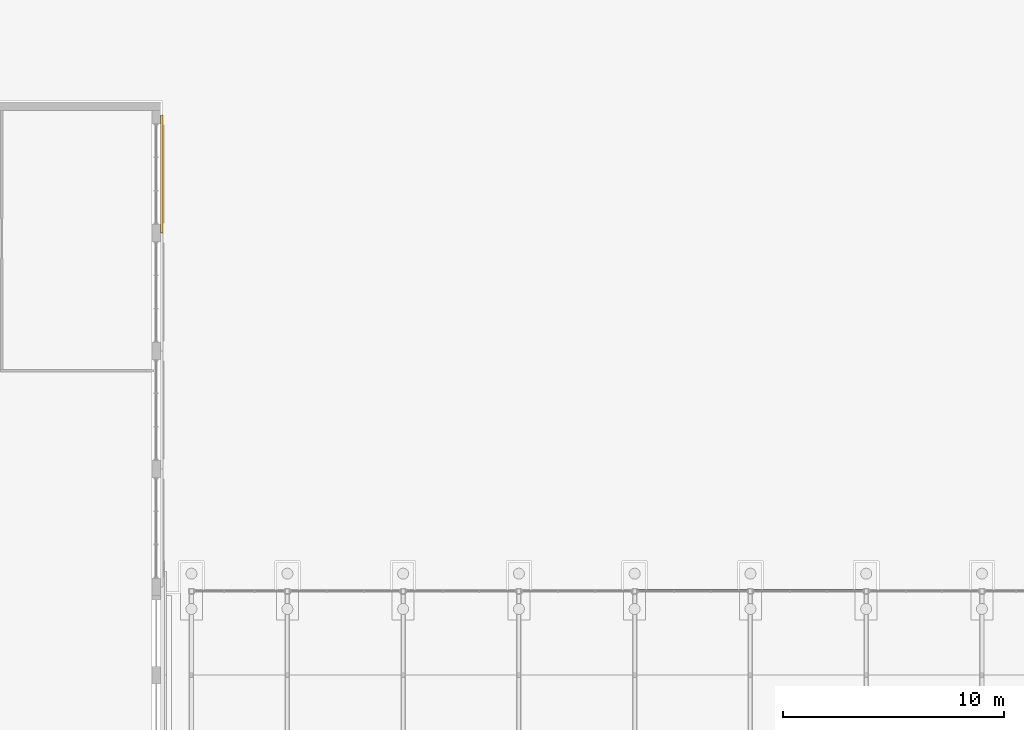
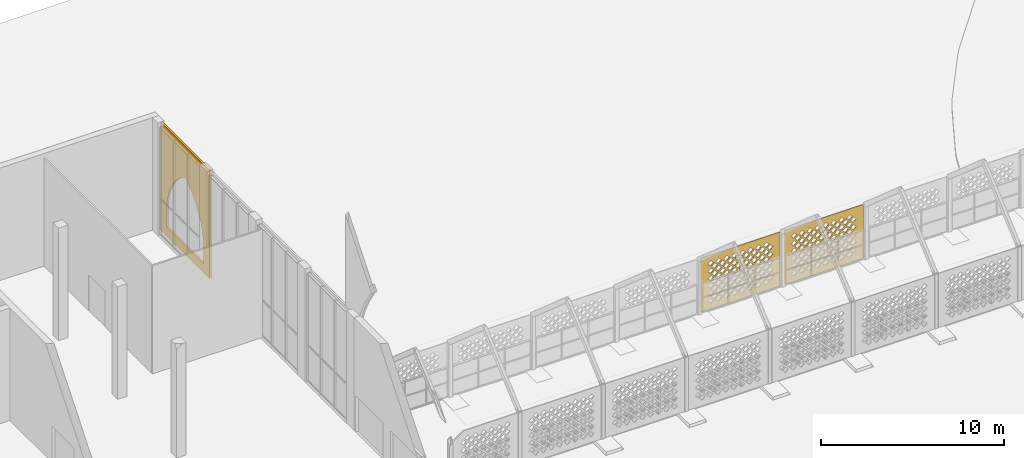
# One storey, part 70 of 79: 3 coverings.
"""IFC4 building model written with IfcOpenShell, lengths in metres."""

from ifc_helpers import new_model, si_unit, direction, frame, origin, place, context, subcontext, project, spatial, polyline, outline, extrude, material, layer, layer_set, type_object, element, save


model = new_model("IFC4")

# Units and contexts
model_context = context("Model", 3, precision=1e-05, world=origin(), true_north=direction((0.0, 1.0)))
body_context = subcontext(model_context, "Body", "Model", "MODEL_VIEW")
ifc_project = project(units=[si_unit("LENGTHUNIT", "METRE"), si_unit("AREAUNIT", "SQUARE_METRE"), si_unit("VOLUMEUNIT", "CUBIC_METRE"), si_unit("PLANEANGLEUNIT", "RADIAN"), si_unit("MASSUNIT", "GRAM", prefix="KILO")], contexts=[model_context])

# Site, building, storey
site_placement = place(None, origin())
site = spatial("IfcSite", under=ifc_project, at=site_placement, CompositionType="ELEMENT")
building_placement = place(site_placement, origin())
building = spatial("IfcBuilding", under=site, at=building_placement, Name="Noorbagh Ring Tower", CompositionType="ELEMENT")
storey_placement = place(building_placement, origin())
storey = spatial("IfcBuildingStorey", under=building, at=storey_placement, Name="L00", CompositionType="ELEMENT", Elevation=0.0)

# Coverings
ifc_material_1 = material(Name="Red sandstone jali", Category="masonry")
ifc_layer_1 = layer(ifc_material_1, 0.0400390625)
ifc_layer_set_1 = layer_set([ifc_layer_1], Name="Red sandstone jali")
covering_type_1 = type_object("IfcCoveringType", Name="AR-JALI", PredefinedType="USERDEFINED", material=ifc_layer_set_1)
covering_1_placement = place(storey_placement, frame((-68.375, 8.889892578125, 0.0), z_axis=(0.0, 1.0, 0.0), x_axis=(-1.0, 0.0, 0.0)))
element("IfcCovering", 1, at=covering_1_placement, inside=storey, type_object=covering_type_1, Name="Jali screen", ObjectType="SCREEN", PredefinedType="USERDEFINED", context=body_context, shape_type="SweptSolid", body=[
    extrude(outline(polyline([(0.0, 0.0), (5.0, 0.0), (5.0, 3.60009765625), (0.0, 3.60009765625), (0.0, 0.0)]), holes=[polyline([(0.695068359375, 0.550048828125), (0.875, 0.3701171875), (1.054931640625, 0.550048828125), (0.875, 0.72998046875), (0.695068359375, 0.550048828125)]), polyline([(1.195068359375, 0.550048828125), (1.375, 0.3701171875), (1.554931640625, 0.550048828125), (1.375, 0.72998046875), (1.195068359375, 0.550048828125)]), polyline([(1.695068359375, 0.550048828125), (1.875, 0.3701171875), (2.054931640625, 0.550048828125), (1.875, 0.72998046875), (1.695068359375, 0.550048828125)]), polyline([(2.195068359375, 0.550048828125), (2.375, 0.3701171875), (2.554931640625, 0.550048828125), (2.375, 0.72998046875), (2.195068359375, 0.550048828125)]), polyline([(2.695068359375, 0.550048828125), (2.875, 0.3701171875), (3.054931640625, 0.550048828125), (2.875, 0.72998046875), (2.695068359375, 0.550048828125)]), polyline([(3.195068359375, 0.550048828125), (3.375, 0.3701171875), (3.554931640625, 0.550048828125), (3.375, 0.72998046875), (3.195068359375, 0.550048828125)]), polyline([(3.695068359375, 0.550048828125), (3.875, 0.3701171875), (4.054931640625, 0.550048828125), (3.875, 0.72998046875), (3.695068359375, 0.550048828125)]), polyline([(4.195068359375, 0.550048828125), (4.375, 0.3701171875), (4.554931640625, 0.550048828125), (4.375, 0.72998046875), (4.195068359375, 0.550048828125)]), polyline([(0.445068359375, 0.800048828125), (0.625, 0.6201171875), (0.804931640625, 0.800048828125), (0.625, 0.97998046875), (0.445068359375, 0.800048828125)]), polyline([(0.945068359375, 0.800048828125), (1.125, 0.6201171875), (1.304931640625, 0.800048828125), (1.125, 0.97998046875), (0.945068359375, 0.800048828125)]), polyline([(1.445068359375, 0.800048828125), (1.625, 0.6201171875), (1.804931640625, 0.800048828125), (1.625, 0.97998046875), (1.445068359375, 0.800048828125)]), polyline([(1.945068359375, 0.800048828125), (2.125, 0.6201171875), (2.304931640625, 0.800048828125), (2.125, 0.97998046875), (1.945068359375, 0.800048828125)]), polyline([(2.445068359375, 0.800048828125), (2.625, 0.6201171875), (2.804931640625, 0.800048828125), (2.625, 0.97998046875), (2.445068359375, 0.800048828125)]), polyline([(2.945068359375, 0.800048828125), (3.125, 0.6201171875), (3.304931640625, 0.800048828125), (3.125, 0.97998046875), (2.945068359375, 0.800048828125)]), polyline([(3.445068359375, 0.800048828125), (3.625, 0.6201171875), (3.804931640625, 0.800048828125), (3.625, 0.97998046875), (3.445068359375, 0.800048828125)]), polyline([(3.945068359375, 0.800048828125), (4.125, 0.6201171875), (4.304931640625, 0.800048828125), (4.125, 0.97998046875), (3.945068359375, 0.800048828125)]), polyline([(0.695068359375, 1.050048828125), (0.875, 0.8701171875), (1.054931640625, 1.050048828125), (0.875, 1.22998046875), (0.695068359375, 1.050048828125)]), polyline([(1.195068359375, 1.050048828125), (1.375, 0.8701171875), (1.554931640625, 1.050048828125), (1.375, 1.22998046875), (1.195068359375, 1.050048828125)]), polyline([(1.695068359375, 1.050048828125), (1.875, 0.8701171875), (2.054931640625, 1.050048828125), (1.875, 1.22998046875), (1.695068359375, 1.050048828125)]), polyline([(2.195068359375, 1.050048828125), (2.375, 0.8701171875), (2.554931640625, 1.050048828125), (2.375, 1.22998046875), (2.195068359375, 1.050048828125)]), polyline([(2.695068359375, 1.050048828125), (2.875, 0.8701171875), (3.054931640625, 1.050048828125), (2.875, 1.22998046875), (2.695068359375, 1.050048828125)]), polyline([(3.195068359375, 1.050048828125), (3.375, 0.8701171875), (3.554931640625, 1.050048828125), (3.375, 1.22998046875), (3.195068359375, 1.050048828125)]), polyline([(3.695068359375, 1.050048828125), (3.875, 0.8701171875), (4.054931640625, 1.050048828125), (3.875, 1.22998046875), (3.695068359375, 1.050048828125)]), polyline([(4.195068359375, 1.050048828125), (4.375, 0.8701171875), (4.554931640625, 1.050048828125), (4.375, 1.22998046875), (4.195068359375, 1.050048828125)]), polyline([(0.445068359375, 1.300048828125), (0.625, 1.1201171875), (0.804931640625, 1.300048828125), (0.625, 1.47998046875), (0.445068359375, 1.300048828125)]), polyline([(0.945068359375, 1.300048828125), (1.125, 1.1201171875), (1.304931640625, 1.300048828125), (1.125, 1.47998046875), (0.945068359375, 1.300048828125)]), polyline([(1.445068359375, 1.300048828125), (1.625, 1.1201171875), (1.804931640625, 1.300048828125), (1.625, 1.47998046875), (1.445068359375, 1.300048828125)]), polyline([(1.945068359375, 1.300048828125), (2.125, 1.1201171875), (2.304931640625, 1.300048828125), (2.125, 1.47998046875), (1.945068359375, 1.300048828125)]), polyline([(2.445068359375, 1.300048828125), (2.625, 1.1201171875), (2.804931640625, 1.300048828125), (2.625, 1.47998046875), (2.445068359375, 1.300048828125)]), polyline([(2.945068359375, 1.300048828125), (3.125, 1.1201171875), (3.304931640625, 1.300048828125), (3.125, 1.47998046875), (2.945068359375, 1.300048828125)]), polyline([(3.445068359375, 1.300048828125), (3.625, 1.1201171875), (3.804931640625, 1.300048828125), (3.625, 1.47998046875), (3.445068359375, 1.300048828125)]), polyline([(3.945068359375, 1.300048828125), (4.125, 1.1201171875), (4.304931640625, 1.300048828125), (4.125, 1.47998046875), (3.945068359375, 1.300048828125)]), polyline([(0.695068359375, 1.550048828125), (0.875, 1.3701171875), (1.054931640625, 1.550048828125), (0.875, 1.72998046875), (0.695068359375, 1.550048828125)]), polyline([(1.195068359375, 1.550048828125), (1.375, 1.3701171875), (1.554931640625, 1.550048828125), (1.375, 1.72998046875), (1.195068359375, 1.550048828125)]), polyline([(1.695068359375, 1.550048828125), (1.875, 1.3701171875), (2.054931640625, 1.550048828125), (1.875, 1.72998046875), (1.695068359375, 1.550048828125)]), polyline([(2.195068359375, 1.550048828125), (2.375, 1.3701171875), (2.554931640625, 1.550048828125), (2.375, 1.72998046875), (2.195068359375, 1.550048828125)]), polyline([(2.695068359375, 1.550048828125), (2.875, 1.3701171875), (3.054931640625, 1.550048828125), (2.875, 1.72998046875), (2.695068359375, 1.550048828125)]), polyline([(3.195068359375, 1.550048828125), (3.375, 1.3701171875), (3.554931640625, 1.550048828125), (3.375, 1.72998046875), (3.195068359375, 1.550048828125)]), polyline([(3.695068359375, 1.550048828125), (3.875, 1.3701171875), (4.054931640625, 1.550048828125), (3.875, 1.72998046875), (3.695068359375, 1.550048828125)]), polyline([(4.195068359375, 1.550048828125), (4.375, 1.3701171875), (4.554931640625, 1.550048828125), (4.375, 1.72998046875), (4.195068359375, 1.550048828125)]), polyline([(0.445068359375, 1.800048828125), (0.625, 1.6201171875), (0.804931640625, 1.800048828125), (0.625, 1.97998046875), (0.445068359375, 1.800048828125)]), polyline([(0.945068359375, 1.800048828125), (1.125, 1.6201171875), (1.304931640625, 1.800048828125), (1.125, 1.97998046875), (0.945068359375, 1.800048828125)]), polyline([(1.445068359375, 1.800048828125), (1.625, 1.6201171875), (1.804931640625, 1.800048828125), (1.625, 1.97998046875), (1.445068359375, 1.800048828125)]), polyline([(1.945068359375, 1.800048828125), (2.125, 1.6201171875), (2.304931640625, 1.800048828125), (2.125, 1.97998046875), (1.945068359375, 1.800048828125)]), polyline([(2.445068359375, 1.800048828125), (2.625, 1.6201171875), (2.804931640625, 1.800048828125), (2.625, 1.97998046875), (2.445068359375, 1.800048828125)]), polyline([(2.945068359375, 1.800048828125), (3.125, 1.6201171875), (3.304931640625, 1.800048828125), (3.125, 1.97998046875), (2.945068359375, 1.800048828125)]), polyline([(3.445068359375, 1.800048828125), (3.625, 1.6201171875), (3.804931640625, 1.800048828125), (3.625, 1.97998046875), (3.445068359375, 1.800048828125)]), polyline([(3.945068359375, 1.800048828125), (4.125, 1.6201171875), (4.304931640625, 1.800048828125), (4.125, 1.97998046875), (3.945068359375, 1.800048828125)]), polyline([(0.695068359375, 2.050048828125), (0.875, 1.8701171875), (1.054931640625, 2.050048828125), (0.875, 2.22998046875), (0.695068359375, 2.050048828125)]), polyline([(1.195068359375, 2.050048828125), (1.375, 1.8701171875), (1.554931640625, 2.050048828125), (1.375, 2.22998046875), (1.195068359375, 2.050048828125)]), polyline([(1.695068359375, 2.050048828125), (1.875, 1.8701171875), (2.054931640625, 2.050048828125), (1.875, 2.22998046875), (1.695068359375, 2.050048828125)]), polyline([(2.195068359375, 2.050048828125), (2.375, 1.8701171875), (2.554931640625, 2.050048828125), (2.375, 2.22998046875), (2.195068359375, 2.050048828125)]), polyline([(2.695068359375, 2.050048828125), (2.875, 1.8701171875), (3.054931640625, 2.050048828125), (2.875, 2.22998046875), (2.695068359375, 2.050048828125)]), polyline([(3.195068359375, 2.050048828125), (3.375, 1.8701171875), (3.554931640625, 2.050048828125), (3.375, 2.22998046875), (3.195068359375, 2.050048828125)]), polyline([(3.695068359375, 2.050048828125), (3.875, 1.8701171875), (4.054931640625, 2.050048828125), (3.875, 2.22998046875), (3.695068359375, 2.050048828125)]), polyline([(4.195068359375, 2.050048828125), (4.375, 1.8701171875), (4.554931640625, 2.050048828125), (4.375, 2.22998046875), (4.195068359375, 2.050048828125)]), polyline([(0.445068359375, 2.300048828125), (0.625, 2.1201171875), (0.804931640625, 2.300048828125), (0.625, 2.47998046875), (0.445068359375, 2.300048828125)]), polyline([(0.945068359375, 2.300048828125), (1.125, 2.1201171875), (1.304931640625, 2.300048828125), (1.125, 2.47998046875), (0.945068359375, 2.300048828125)]), polyline([(1.445068359375, 2.300048828125), (1.625, 2.1201171875), (1.804931640625, 2.300048828125), (1.625, 2.47998046875), (1.445068359375, 2.300048828125)]), polyline([(1.945068359375, 2.300048828125), (2.125, 2.1201171875), (2.304931640625, 2.300048828125), (2.125, 2.47998046875), (1.945068359375, 2.300048828125)]), polyline([(2.445068359375, 2.300048828125), (2.625, 2.1201171875), (2.804931640625, 2.300048828125), (2.625, 2.47998046875), (2.445068359375, 2.300048828125)]), polyline([(2.945068359375, 2.300048828125), (3.125, 2.1201171875), (3.304931640625, 2.300048828125), (3.125, 2.47998046875), (2.945068359375, 2.300048828125)]), polyline([(3.445068359375, 2.300048828125), (3.625, 2.1201171875), (3.804931640625, 2.300048828125), (3.625, 2.47998046875), (3.445068359375, 2.300048828125)]), polyline([(3.945068359375, 2.300048828125), (4.125, 2.1201171875), (4.304931640625, 2.300048828125), (4.125, 2.47998046875), (3.945068359375, 2.300048828125)]), polyline([(0.695068359375, 2.550048828125), (0.875, 2.3701171875), (1.054931640625, 2.550048828125), (0.875, 2.72998046875), (0.695068359375, 2.550048828125)]), polyline([(1.195068359375, 2.550048828125), (1.375, 2.3701171875), (1.554931640625, 2.550048828125), (1.375, 2.72998046875), (1.195068359375, 2.550048828125)]), polyline([(1.695068359375, 2.550048828125), (1.875, 2.3701171875), (2.054931640625, 2.550048828125), (1.875, 2.72998046875), (1.695068359375, 2.550048828125)]), polyline([(2.195068359375, 2.550048828125), (2.375, 2.3701171875), (2.554931640625, 2.550048828125), (2.375, 2.72998046875), (2.195068359375, 2.550048828125)]), polyline([(2.695068359375, 2.550048828125), (2.875, 2.3701171875), (3.054931640625, 2.550048828125), (2.875, 2.72998046875), (2.695068359375, 2.550048828125)]), polyline([(3.195068359375, 2.550048828125), (3.375, 2.3701171875), (3.554931640625, 2.550048828125), (3.375, 2.72998046875), (3.195068359375, 2.550048828125)]), polyline([(3.695068359375, 2.550048828125), (3.875, 2.3701171875), (4.054931640625, 2.550048828125), (3.875, 2.72998046875), (3.695068359375, 2.550048828125)]), polyline([(4.195068359375, 2.550048828125), (4.375, 2.3701171875), (4.554931640625, 2.550048828125), (4.375, 2.72998046875), (4.195068359375, 2.550048828125)]), polyline([(0.445068359375, 2.800048828125), (0.625, 2.6201171875), (0.804931640625, 2.800048828125), (0.625, 2.97998046875), (0.445068359375, 2.800048828125)]), polyline([(0.945068359375, 2.800048828125), (1.125, 2.6201171875), (1.304931640625, 2.800048828125), (1.125, 2.97998046875), (0.945068359375, 2.800048828125)]), polyline([(1.445068359375, 2.800048828125), (1.625, 2.6201171875), (1.804931640625, 2.800048828125), (1.625, 2.97998046875), (1.445068359375, 2.800048828125)]), polyline([(1.945068359375, 2.800048828125), (2.125, 2.6201171875), (2.304931640625, 2.800048828125), (2.125, 2.97998046875), (1.945068359375, 2.800048828125)]), polyline([(2.445068359375, 2.800048828125), (2.625, 2.6201171875), (2.804931640625, 2.800048828125), (2.625, 2.97998046875), (2.445068359375, 2.800048828125)]), polyline([(2.945068359375, 2.800048828125), (3.125, 2.6201171875), (3.304931640625, 2.800048828125), (3.125, 2.97998046875), (2.945068359375, 2.800048828125)]), polyline([(3.445068359375, 2.800048828125), (3.625, 2.6201171875), (3.804931640625, 2.800048828125), (3.625, 2.97998046875), (3.445068359375, 2.800048828125)]), polyline([(3.945068359375, 2.800048828125), (4.125, 2.6201171875), (4.304931640625, 2.800048828125), (4.125, 2.97998046875), (3.945068359375, 2.800048828125)]), polyline([(0.695068359375, 3.050048828125), (0.875, 2.8701171875), (1.054931640625, 3.050048828125), (0.875, 3.22998046875), (0.695068359375, 3.050048828125)]), polyline([(1.195068359375, 3.050048828125), (1.375, 2.8701171875), (1.554931640625, 3.050048828125), (1.375, 3.22998046875), (1.195068359375, 3.050048828125)]), polyline([(1.695068359375, 3.050048828125), (1.875, 2.8701171875), (2.054931640625, 3.050048828125), (1.875, 3.22998046875), (1.695068359375, 3.050048828125)]), polyline([(2.195068359375, 3.050048828125), (2.375, 2.8701171875), (2.554931640625, 3.050048828125), (2.375, 3.22998046875), (2.195068359375, 3.050048828125)]), polyline([(2.695068359375, 3.050048828125), (2.875, 2.8701171875), (3.054931640625, 3.050048828125), (2.875, 3.22998046875), (2.695068359375, 3.050048828125)]), polyline([(3.195068359375, 3.050048828125), (3.375, 2.8701171875), (3.554931640625, 3.050048828125), (3.375, 3.22998046875), (3.195068359375, 3.050048828125)]), polyline([(3.695068359375, 3.050048828125), (3.875, 2.8701171875), (4.054931640625, 3.050048828125), (3.875, 3.22998046875), (3.695068359375, 3.050048828125)]), polyline([(4.195068359375, 3.050048828125), (4.375, 2.8701171875), (4.554931640625, 3.050048828125), (4.375, 3.22998046875), (4.195068359375, 3.050048828125)])]), origin(), (0.0, 0.0, -1.0), 0.0400390625),
])
covering_2_placement = place(storey_placement, frame((-63.125, 8.889892578125, 0.0), z_axis=(0.0, 1.0, 0.0), x_axis=(-1.0, 0.0, 0.0)))
element("IfcCovering", 2, at=covering_2_placement, inside=storey, type_object=covering_type_1, Name="Jali screen", ObjectType="SCREEN", PredefinedType="USERDEFINED", context=body_context, shape_type="SweptSolid", body=[
    extrude(outline(polyline([(0.0, 0.0), (5.0, 0.0), (5.0, 3.60009765625), (0.0, 3.60009765625), (0.0, 0.0)]), holes=[polyline([(0.695068359375, 0.550048828125), (0.875, 0.3701171875), (1.054931640625, 0.550048828125), (0.875, 0.72998046875), (0.695068359375, 0.550048828125)]), polyline([(1.195068359375, 0.550048828125), (1.375, 0.3701171875), (1.554931640625, 0.550048828125), (1.375, 0.72998046875), (1.195068359375, 0.550048828125)]), polyline([(1.695068359375, 0.550048828125), (1.875, 0.3701171875), (2.054931640625, 0.550048828125), (1.875, 0.72998046875), (1.695068359375, 0.550048828125)]), polyline([(2.195068359375, 0.550048828125), (2.375, 0.3701171875), (2.554931640625, 0.550048828125), (2.375, 0.72998046875), (2.195068359375, 0.550048828125)]), polyline([(2.695068359375, 0.550048828125), (2.875, 0.3701171875), (3.054931640625, 0.550048828125), (2.875, 0.72998046875), (2.695068359375, 0.550048828125)]), polyline([(3.195068359375, 0.550048828125), (3.375, 0.3701171875), (3.554931640625, 0.550048828125), (3.375, 0.72998046875), (3.195068359375, 0.550048828125)]), polyline([(3.695068359375, 0.550048828125), (3.875, 0.3701171875), (4.054931640625, 0.550048828125), (3.875, 0.72998046875), (3.695068359375, 0.550048828125)]), polyline([(4.195068359375, 0.550048828125), (4.375, 0.3701171875), (4.554931640625, 0.550048828125), (4.375, 0.72998046875), (4.195068359375, 0.550048828125)]), polyline([(0.445068359375, 0.800048828125), (0.625, 0.6201171875), (0.804931640625, 0.800048828125), (0.625, 0.97998046875), (0.445068359375, 0.800048828125)]), polyline([(0.945068359375, 0.800048828125), (1.125, 0.6201171875), (1.304931640625, 0.800048828125), (1.125, 0.97998046875), (0.945068359375, 0.800048828125)]), polyline([(1.445068359375, 0.800048828125), (1.625, 0.6201171875), (1.804931640625, 0.800048828125), (1.625, 0.97998046875), (1.445068359375, 0.800048828125)]), polyline([(1.945068359375, 0.800048828125), (2.125, 0.6201171875), (2.304931640625, 0.800048828125), (2.125, 0.97998046875), (1.945068359375, 0.800048828125)]), polyline([(2.445068359375, 0.800048828125), (2.625, 0.6201171875), (2.804931640625, 0.800048828125), (2.625, 0.97998046875), (2.445068359375, 0.800048828125)]), polyline([(2.945068359375, 0.800048828125), (3.125, 0.6201171875), (3.304931640625, 0.800048828125), (3.125, 0.97998046875), (2.945068359375, 0.800048828125)]), polyline([(3.445068359375, 0.800048828125), (3.625, 0.6201171875), (3.804931640625, 0.800048828125), (3.625, 0.97998046875), (3.445068359375, 0.800048828125)]), polyline([(3.945068359375, 0.800048828125), (4.125, 0.6201171875), (4.304931640625, 0.800048828125), (4.125, 0.97998046875), (3.945068359375, 0.800048828125)]), polyline([(0.695068359375, 1.050048828125), (0.875, 0.8701171875), (1.054931640625, 1.050048828125), (0.875, 1.22998046875), (0.695068359375, 1.050048828125)]), polyline([(1.195068359375, 1.050048828125), (1.375, 0.8701171875), (1.554931640625, 1.050048828125), (1.375, 1.22998046875), (1.195068359375, 1.050048828125)]), polyline([(1.695068359375, 1.050048828125), (1.875, 0.8701171875), (2.054931640625, 1.050048828125), (1.875, 1.22998046875), (1.695068359375, 1.050048828125)]), polyline([(2.195068359375, 1.050048828125), (2.375, 0.8701171875), (2.554931640625, 1.050048828125), (2.375, 1.22998046875), (2.195068359375, 1.050048828125)]), polyline([(2.695068359375, 1.050048828125), (2.875, 0.8701171875), (3.054931640625, 1.050048828125), (2.875, 1.22998046875), (2.695068359375, 1.050048828125)]), polyline([(3.195068359375, 1.050048828125), (3.375, 0.8701171875), (3.554931640625, 1.050048828125), (3.375, 1.22998046875), (3.195068359375, 1.050048828125)]), polyline([(3.695068359375, 1.050048828125), (3.875, 0.8701171875), (4.054931640625, 1.050048828125), (3.875, 1.22998046875), (3.695068359375, 1.050048828125)]), polyline([(4.195068359375, 1.050048828125), (4.375, 0.8701171875), (4.554931640625, 1.050048828125), (4.375, 1.22998046875), (4.195068359375, 1.050048828125)]), polyline([(0.445068359375, 1.300048828125), (0.625, 1.1201171875), (0.804931640625, 1.300048828125), (0.625, 1.47998046875), (0.445068359375, 1.300048828125)]), polyline([(0.945068359375, 1.300048828125), (1.125, 1.1201171875), (1.304931640625, 1.300048828125), (1.125, 1.47998046875), (0.945068359375, 1.300048828125)]), polyline([(1.445068359375, 1.300048828125), (1.625, 1.1201171875), (1.804931640625, 1.300048828125), (1.625, 1.47998046875), (1.445068359375, 1.300048828125)]), polyline([(1.945068359375, 1.300048828125), (2.125, 1.1201171875), (2.304931640625, 1.300048828125), (2.125, 1.47998046875), (1.945068359375, 1.300048828125)]), polyline([(2.445068359375, 1.300048828125), (2.625, 1.1201171875), (2.804931640625, 1.300048828125), (2.625, 1.47998046875), (2.445068359375, 1.300048828125)]), polyline([(2.945068359375, 1.300048828125), (3.125, 1.1201171875), (3.304931640625, 1.300048828125), (3.125, 1.47998046875), (2.945068359375, 1.300048828125)]), polyline([(3.445068359375, 1.300048828125), (3.625, 1.1201171875), (3.804931640625, 1.300048828125), (3.625, 1.47998046875), (3.445068359375, 1.300048828125)]), polyline([(3.945068359375, 1.300048828125), (4.125, 1.1201171875), (4.304931640625, 1.300048828125), (4.125, 1.47998046875), (3.945068359375, 1.300048828125)]), polyline([(0.695068359375, 1.550048828125), (0.875, 1.3701171875), (1.054931640625, 1.550048828125), (0.875, 1.72998046875), (0.695068359375, 1.550048828125)]), polyline([(1.195068359375, 1.550048828125), (1.375, 1.3701171875), (1.554931640625, 1.550048828125), (1.375, 1.72998046875), (1.195068359375, 1.550048828125)]), polyline([(1.695068359375, 1.550048828125), (1.875, 1.3701171875), (2.054931640625, 1.550048828125), (1.875, 1.72998046875), (1.695068359375, 1.550048828125)]), polyline([(2.195068359375, 1.550048828125), (2.375, 1.3701171875), (2.554931640625, 1.550048828125), (2.375, 1.72998046875), (2.195068359375, 1.550048828125)]), polyline([(2.695068359375, 1.550048828125), (2.875, 1.3701171875), (3.054931640625, 1.550048828125), (2.875, 1.72998046875), (2.695068359375, 1.550048828125)]), polyline([(3.195068359375, 1.550048828125), (3.375, 1.3701171875), (3.554931640625, 1.550048828125), (3.375, 1.72998046875), (3.195068359375, 1.550048828125)]), polyline([(3.695068359375, 1.550048828125), (3.875, 1.3701171875), (4.054931640625, 1.550048828125), (3.875, 1.72998046875), (3.695068359375, 1.550048828125)]), polyline([(4.195068359375, 1.550048828125), (4.375, 1.3701171875), (4.554931640625, 1.550048828125), (4.375, 1.72998046875), (4.195068359375, 1.550048828125)]), polyline([(0.445068359375, 1.800048828125), (0.625, 1.6201171875), (0.804931640625, 1.800048828125), (0.625, 1.97998046875), (0.445068359375, 1.800048828125)]), polyline([(0.945068359375, 1.800048828125), (1.125, 1.6201171875), (1.304931640625, 1.800048828125), (1.125, 1.97998046875), (0.945068359375, 1.800048828125)]), polyline([(1.445068359375, 1.800048828125), (1.625, 1.6201171875), (1.804931640625, 1.800048828125), (1.625, 1.97998046875), (1.445068359375, 1.800048828125)]), polyline([(1.945068359375, 1.800048828125), (2.125, 1.6201171875), (2.304931640625, 1.800048828125), (2.125, 1.97998046875), (1.945068359375, 1.800048828125)]), polyline([(2.445068359375, 1.800048828125), (2.625, 1.6201171875), (2.804931640625, 1.800048828125), (2.625, 1.97998046875), (2.445068359375, 1.800048828125)]), polyline([(2.945068359375, 1.800048828125), (3.125, 1.6201171875), (3.304931640625, 1.800048828125), (3.125, 1.97998046875), (2.945068359375, 1.800048828125)]), polyline([(3.445068359375, 1.800048828125), (3.625, 1.6201171875), (3.804931640625, 1.800048828125), (3.625, 1.97998046875), (3.445068359375, 1.800048828125)]), polyline([(3.945068359375, 1.800048828125), (4.125, 1.6201171875), (4.304931640625, 1.800048828125), (4.125, 1.97998046875), (3.945068359375, 1.800048828125)]), polyline([(0.695068359375, 2.050048828125), (0.875, 1.8701171875), (1.054931640625, 2.050048828125), (0.875, 2.22998046875), (0.695068359375, 2.050048828125)]), polyline([(1.195068359375, 2.050048828125), (1.375, 1.8701171875), (1.554931640625, 2.050048828125), (1.375, 2.22998046875), (1.195068359375, 2.050048828125)]), polyline([(1.695068359375, 2.050048828125), (1.875, 1.8701171875), (2.054931640625, 2.050048828125), (1.875, 2.22998046875), (1.695068359375, 2.050048828125)]), polyline([(2.195068359375, 2.050048828125), (2.375, 1.8701171875), (2.554931640625, 2.050048828125), (2.375, 2.22998046875), (2.195068359375, 2.050048828125)]), polyline([(2.695068359375, 2.050048828125), (2.875, 1.8701171875), (3.054931640625, 2.050048828125), (2.875, 2.22998046875), (2.695068359375, 2.050048828125)]), polyline([(3.195068359375, 2.050048828125), (3.375, 1.8701171875), (3.554931640625, 2.050048828125), (3.375, 2.22998046875), (3.195068359375, 2.050048828125)]), polyline([(3.695068359375, 2.050048828125), (3.875, 1.8701171875), (4.054931640625, 2.050048828125), (3.875, 2.22998046875), (3.695068359375, 2.050048828125)]), polyline([(4.195068359375, 2.050048828125), (4.375, 1.8701171875), (4.554931640625, 2.050048828125), (4.375, 2.22998046875), (4.195068359375, 2.050048828125)]), polyline([(0.445068359375, 2.300048828125), (0.625, 2.1201171875), (0.804931640625, 2.300048828125), (0.625, 2.47998046875), (0.445068359375, 2.300048828125)]), polyline([(0.945068359375, 2.300048828125), (1.125, 2.1201171875), (1.304931640625, 2.300048828125), (1.125, 2.47998046875), (0.945068359375, 2.300048828125)]), polyline([(1.445068359375, 2.300048828125), (1.625, 2.1201171875), (1.804931640625, 2.300048828125), (1.625, 2.47998046875), (1.445068359375, 2.300048828125)]), polyline([(1.945068359375, 2.300048828125), (2.125, 2.1201171875), (2.304931640625, 2.300048828125), (2.125, 2.47998046875), (1.945068359375, 2.300048828125)]), polyline([(2.445068359375, 2.300048828125), (2.625, 2.1201171875), (2.804931640625, 2.300048828125), (2.625, 2.47998046875), (2.445068359375, 2.300048828125)]), polyline([(2.945068359375, 2.300048828125), (3.125, 2.1201171875), (3.304931640625, 2.300048828125), (3.125, 2.47998046875), (2.945068359375, 2.300048828125)]), polyline([(3.445068359375, 2.300048828125), (3.625, 2.1201171875), (3.804931640625, 2.300048828125), (3.625, 2.47998046875), (3.445068359375, 2.300048828125)]), polyline([(3.945068359375, 2.300048828125), (4.125, 2.1201171875), (4.304931640625, 2.300048828125), (4.125, 2.47998046875), (3.945068359375, 2.300048828125)]), polyline([(0.695068359375, 2.550048828125), (0.875, 2.3701171875), (1.054931640625, 2.550048828125), (0.875, 2.72998046875), (0.695068359375, 2.550048828125)]), polyline([(1.195068359375, 2.550048828125), (1.375, 2.3701171875), (1.554931640625, 2.550048828125), (1.375, 2.72998046875), (1.195068359375, 2.550048828125)]), polyline([(1.695068359375, 2.550048828125), (1.875, 2.3701171875), (2.054931640625, 2.550048828125), (1.875, 2.72998046875), (1.695068359375, 2.550048828125)]), polyline([(2.195068359375, 2.550048828125), (2.375, 2.3701171875), (2.554931640625, 2.550048828125), (2.375, 2.72998046875), (2.195068359375, 2.550048828125)]), polyline([(2.695068359375, 2.550048828125), (2.875, 2.3701171875), (3.054931640625, 2.550048828125), (2.875, 2.72998046875), (2.695068359375, 2.550048828125)]), polyline([(3.195068359375, 2.550048828125), (3.375, 2.3701171875), (3.554931640625, 2.550048828125), (3.375, 2.72998046875), (3.195068359375, 2.550048828125)]), polyline([(3.695068359375, 2.550048828125), (3.875, 2.3701171875), (4.054931640625, 2.550048828125), (3.875, 2.72998046875), (3.695068359375, 2.550048828125)]), polyline([(4.195068359375, 2.550048828125), (4.375, 2.3701171875), (4.554931640625, 2.550048828125), (4.375, 2.72998046875), (4.195068359375, 2.550048828125)]), polyline([(0.445068359375, 2.800048828125), (0.625, 2.6201171875), (0.804931640625, 2.800048828125), (0.625, 2.97998046875), (0.445068359375, 2.800048828125)]), polyline([(0.945068359375, 2.800048828125), (1.125, 2.6201171875), (1.304931640625, 2.800048828125), (1.125, 2.97998046875), (0.945068359375, 2.800048828125)]), polyline([(1.445068359375, 2.800048828125), (1.625, 2.6201171875), (1.804931640625, 2.800048828125), (1.625, 2.97998046875), (1.445068359375, 2.800048828125)]), polyline([(1.945068359375, 2.800048828125), (2.125, 2.6201171875), (2.304931640625, 2.800048828125), (2.125, 2.97998046875), (1.945068359375, 2.800048828125)]), polyline([(2.445068359375, 2.800048828125), (2.625, 2.6201171875), (2.804931640625, 2.800048828125), (2.625, 2.97998046875), (2.445068359375, 2.800048828125)]), polyline([(2.945068359375, 2.800048828125), (3.125, 2.6201171875), (3.304931640625, 2.800048828125), (3.125, 2.97998046875), (2.945068359375, 2.800048828125)]), polyline([(3.445068359375, 2.800048828125), (3.625, 2.6201171875), (3.804931640625, 2.800048828125), (3.625, 2.97998046875), (3.445068359375, 2.800048828125)]), polyline([(3.945068359375, 2.800048828125), (4.125, 2.6201171875), (4.304931640625, 2.800048828125), (4.125, 2.97998046875), (3.945068359375, 2.800048828125)]), polyline([(0.695068359375, 3.050048828125), (0.875, 2.8701171875), (1.054931640625, 3.050048828125), (0.875, 3.22998046875), (0.695068359375, 3.050048828125)]), polyline([(1.195068359375, 3.050048828125), (1.375, 2.8701171875), (1.554931640625, 3.050048828125), (1.375, 3.22998046875), (1.195068359375, 3.050048828125)]), polyline([(1.695068359375, 3.050048828125), (1.875, 2.8701171875), (2.054931640625, 3.050048828125), (1.875, 3.22998046875), (1.695068359375, 3.050048828125)]), polyline([(2.195068359375, 3.050048828125), (2.375, 2.8701171875), (2.554931640625, 3.050048828125), (2.375, 3.22998046875), (2.195068359375, 3.050048828125)]), polyline([(2.695068359375, 3.050048828125), (2.875, 2.8701171875), (3.054931640625, 3.050048828125), (2.875, 3.22998046875), (2.695068359375, 3.050048828125)]), polyline([(3.195068359375, 3.050048828125), (3.375, 2.8701171875), (3.554931640625, 3.050048828125), (3.375, 3.22998046875), (3.195068359375, 3.050048828125)]), polyline([(3.695068359375, 3.050048828125), (3.875, 2.8701171875), (4.054931640625, 3.050048828125), (3.875, 3.22998046875), (3.695068359375, 3.050048828125)]), polyline([(4.195068359375, 3.050048828125), (4.375, 2.8701171875), (4.554931640625, 3.050048828125), (4.375, 3.22998046875), (4.195068359375, 3.050048828125)])]), origin(), (0.0, 0.0, -1.0), 0.0400390625),
])
ifc_material_2 = material(Name="Red sandstone cladding", Category="masonry")
ifc_layer_2 = layer(ifc_material_2, 0.1201171875)
ifc_layer_set_2 = layer_set([ifc_layer_2], Name="Red sandstone cladding")
covering_type_2 = type_object("IfcCoveringType", Name="STH-SPANDREL", PredefinedType="USERDEFINED", material=ifc_layer_set_2)
covering_3_placement = place(storey_placement, frame((-94.8798828125, 25.050048828125, 0.0), z_axis=(1.0, 0.0, 0.0), x_axis=(0.0, 1.0, 0.0)))
element("IfcCovering", 3, at=covering_3_placement, inside=storey, type_object=covering_type_2, Name="Arch spandrel", ObjectType="ARCH", PredefinedType="USERDEFINED", context=body_context, shape_type="SweptSolid", body=[
    extrude(outline(polyline([(0.0, 0.0), (5.349853515625, 0.0), (5.349853515625, 7.199951171875), (0.0, 7.199951171875), (0.0, 0.0)]), holes=[polyline([(0.64990234375, 0.60009765625), (0.64990234375, 1.60009765625), (0.6845703125, 2.128662109375), (0.7880859375, 2.648193359375), (0.958251953125, 3.14990234375), (1.192626953125, 3.625), (1.48681640625, 4.0654296875), (1.836181640625, 4.4638671875), (2.234619140625, 4.81298828125), (2.675048828125, 5.107421875), (3.115478515625, 4.81298828125), (3.513916015625, 4.4638671875), (3.863037109375, 4.0654296875), (4.157470703125, 3.625), (4.3916015625, 3.14990234375), (4.56201171875, 2.648193359375), (4.665283203125, 2.128662109375), (4.699951171875, 1.60009765625), (4.699951171875, 0.60009765625), (0.64990234375, 0.60009765625)])]), origin(), (0.0, 0.0, -1.0), 0.1201171875),
])

save(model, "model.ifc")
